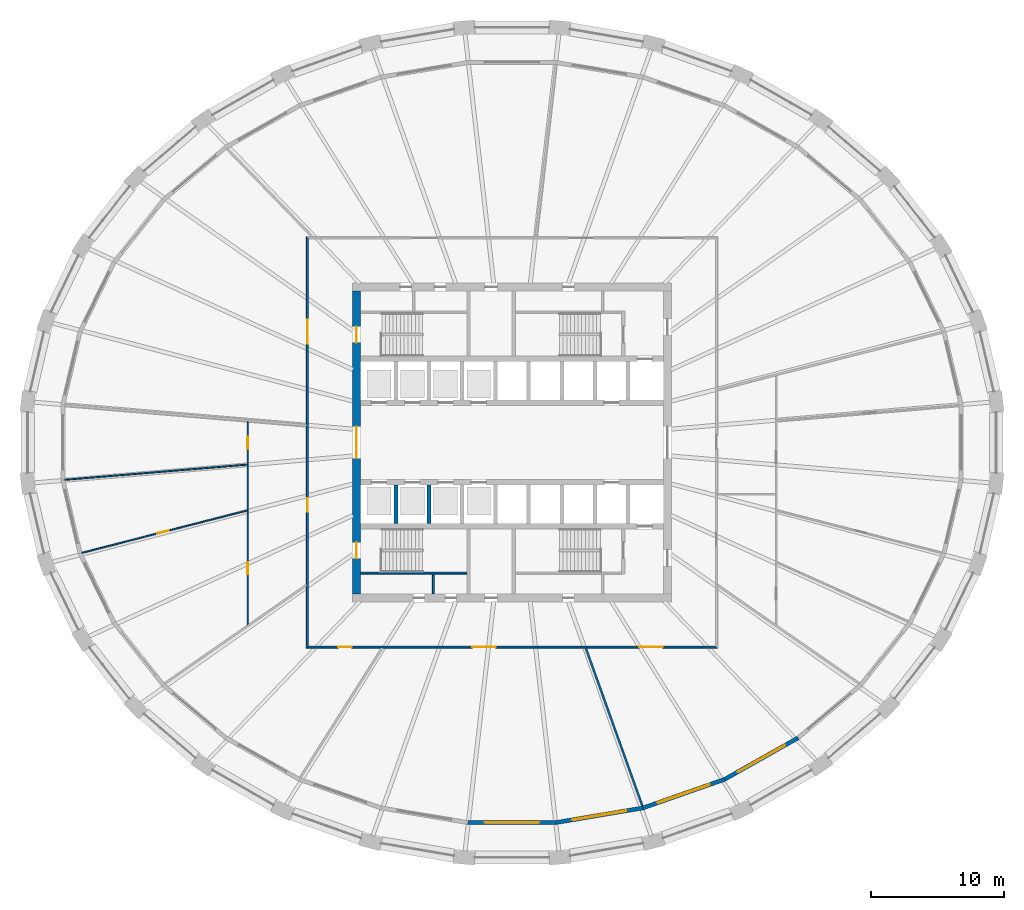
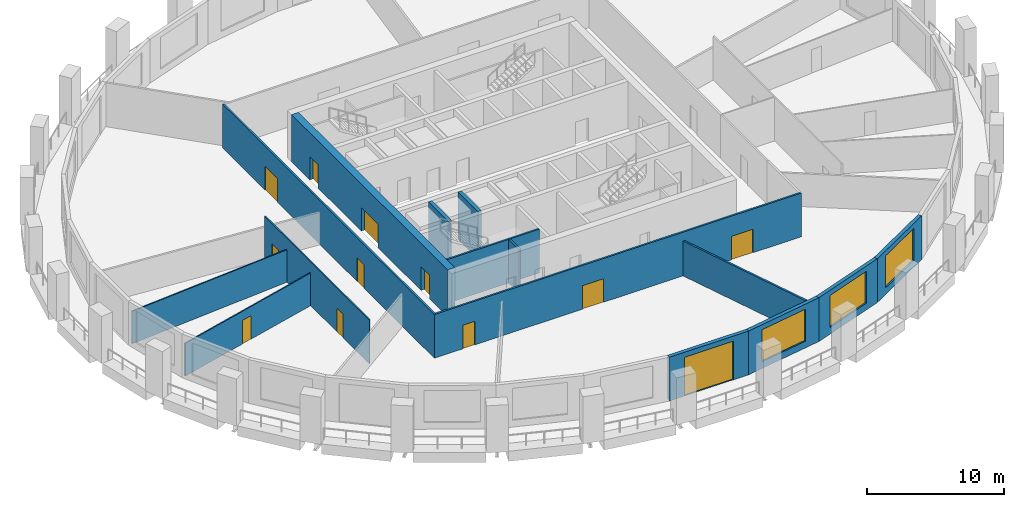
# One storey, part 3 of 11: 15 walls, 12 doors, 3 windows, 15 openings.
"""IFC4 building model written with IfcOpenShell, lengths in metres."""

from ifc_helpers import new_model, si_unit, direction, frame, frame_2d, origin, place, context, subcontext, project, spatial, polyline, rectangle, outline, extrude, material, layer, layer_set, type_object, element, fill, save


model = new_model("IFC4")

# Units and contexts
model_context = context("Model", 3, precision=1e-05, world=origin(), true_north=direction((0.0, 1.0)))
body_context = subcontext(model_context, "Body", "Model", "MODEL_VIEW")
ifc_project = project(units=[si_unit("LENGTHUNIT", "METRE"), si_unit("AREAUNIT", "SQUARE_METRE"), si_unit("VOLUMEUNIT", "CUBIC_METRE"), si_unit("PLANEANGLEUNIT", "RADIAN"), si_unit("MASSUNIT", "GRAM", prefix="KILO")], contexts=[model_context])

# Site, building, storey
site_placement = place(None, origin())
site = spatial("IfcSite", under=ifc_project, at=site_placement, CompositionType="ELEMENT")
building_placement = place(site_placement, origin())
building = spatial("IfcBuilding", under=site, at=building_placement, Name="Halqa Exchange Tower", CompositionType="ELEMENT")
storey_placement = place(building_placement, frame((0.0, 0.0, 73.89990234375)))
storey = spatial("IfcBuildingStorey", under=building, at=storey_placement, Name="L16", CompositionType="ELEMENT", Elevation=73.89990234375)

# Wall, openings, doors
ifc_material_1 = material(Name="Fire-rated gypsum board")
ifc_layer_1 = layer(ifc_material_1, 0.14990234375)
ifc_layer_set_1 = layer_set([ifc_layer_1], Name="Fire-rated gypsum board")
wall_type_1 = type_object("IfcWallType", Name="Fire partition EI 60 150", PredefinedType="PARTITIONING", material=ifc_layer_set_1)
wall_1_placement = place(storey_placement, frame((-15.39990234375, -15.47509765625, 0.0), z_axis=(0.0, 0.0, 1.0), x_axis=(0.0, 1.0, 0.0)))
wall_1 = element("IfcWall", 1, at=wall_1_placement, inside=storey, type_object=wall_type_1, Name="L16-PWL-006", PredefinedType="PARTITIONING", context=body_context, shape_type="SweptSolid", body=[
    extrude(outline(polyline([(0.150146484375, -0.074951171875), (2.065673828125, -0.074951171875), (3.9814453125, -0.074951171875), (5.89697265625, -0.074951171875), (7.8125, -0.074951171875), (9.728271484375, -0.074951171875), (11.643798828125, -0.074951171875), (13.5595703125, -0.074951171875), (15.47509765625, -0.074951171875), (17.390625, -0.074951171875), (19.306396484375, -0.074951171875), (21.221923828125, -0.074951171875), (23.1376953125, -0.074951171875), (25.05322265625, -0.074951171875), (26.96875, -0.074951171875), (28.884521484375, -0.074951171875), (30.800048828125, -0.074951171875), (30.949951171875, 0.074951171875), (29.015625, 0.074951171875), (27.081298828125, 0.074951171875), (25.14697265625, 0.074951171875), (23.21240234375, 0.074951171875), (21.278076171875, 0.074951171875), (19.34375, 0.074951171875), (17.409423828125, 0.074951171875), (15.47509765625, 0.074951171875), (13.540771484375, 0.074951171875), (11.6064453125, 0.074951171875), (9.672119140625, 0.074951171875), (7.73779296875, 0.074951171875), (5.80322265625, 0.074951171875), (3.868896484375, 0.074951171875), (1.9345703125, 0.074951171875), (0.000244140625, 0.074951171875), (0.150146484375, -0.074951171875)])), origin(), (0.0, 0.0, 1.0), 3.900146484375),
])
opening_1_placement = place(wall_1_placement, frame((10.27490234375, 0.0, 0.0)))
opening_1 = element("IfcOpeningElement", 2, at=opening_1_placement, cuts=wall_1, Name="Opening 05-01", PredefinedType="OPENING", context=body_context, shape_type="SweptSolid", body=[
    extrude(rectangle(XDim=1.0, YDim=2.10009765625, at=frame_2d((0.5, 1.050048828125))), frame((0.0, 0.0869140625, 0.0), z_axis=(0.0, -1.0, 0.0), x_axis=(1.0, 0.0, 0.0)), (0.0, 0.0, 1.0), 0.173828125),
])
opening_2_placement = place(wall_1_placement, frame((22.9150390625, 0.0, 0.0)))
opening_2 = element("IfcOpeningElement", 3, at=opening_2_placement, cuts=wall_1, Name="Opening 05-10", PredefinedType="OPENING", context=body_context, shape_type="SweptSolid", body=[
    extrude(rectangle(XDim=1.800048828125, YDim=2.10009765625, at=frame_2d((0.89990234375, 1.050048828125))), frame((0.0, 0.0869140625, 0.0), z_axis=(0.0, -1.0, 0.0), x_axis=(1.0, 0.0, 0.0)), (0.0, 0.0, 1.0), 0.173828125),
])
ifc_material_2 = material(Name="Steel fire door leaf", Category="steel")
door_type_1 = type_object("IfcDoorType", Name="Fire door FD30S 1000 x 2100", OperationType="SINGLE_SWING_LEFT", PredefinedType="DOOR", material=ifc_material_2)
door_1_placement = place(opening_1_placement, origin())
door_1 = element("IfcDoor", 4, at=door_1_placement, inside=storey, type_object=door_type_1, Name="L16-IDR-001", OperationType="SINGLE_SWING_RIGHT", OverallHeight=2.10009765625, OverallWidth=1.0, PredefinedType="DOOR", context=body_context, shape_type="SweptSolid", body=[
    extrude(rectangle(XDim=1.0, YDim=2.10009765625, at=frame_2d((0.5, 1.050048828125))), frame((0.0, 0.02490234375, 0.0), z_axis=(0.0, -1.0, 0.0), x_axis=(1.0, 0.0, 0.0)), (0.0, 0.0, 1.0), 0.050048828125),
])
fill(opening_1, door_1)
door_type_2 = type_object("IfcDoorType", Name="Fire door FD30S double 1800 x 2100", OperationType="DOUBLE_DOOR_SINGLE_SWING", PredefinedType="DOOR", material=ifc_material_2)
door_2_placement = place(opening_2_placement, origin())
door_2 = element("IfcDoor", 5, at=door_2_placement, inside=storey, type_object=door_type_2, Name="L16-IDR-010", OperationType="DOUBLE_DOOR_SINGLE_SWING", OverallHeight=2.10009765625, OverallWidth=1.800048828125, PredefinedType="DOOR", context=body_context, shape_type="SweptSolid", body=[
    extrude(rectangle(XDim=1.800048828125, YDim=2.10009765625, at=frame_2d((0.89990234375, 1.050048828125))), frame((0.0, 0.02490234375, 0.0), z_axis=(0.0, -1.0, 0.0), x_axis=(1.0, 0.0, 0.0)), (0.0, 0.0, 1.0), 0.050048828125),
])
fill(opening_2, door_2)

wall_2_placement = place(storey_placement, frame((-15.47509765625, -15.39990234375, 0.0), z_axis=(0.0, 0.0, 1.0), x_axis=(1.0, 0.0, 0.0)))
wall_2 = element("IfcWall", 6, at=wall_2_placement, inside=storey, type_object=wall_type_1, Name="L16-PWL-007", PredefinedType="PARTITIONING", context=body_context, shape_type="SweptSolid", body=[
    extrude(outline(polyline([(0.000244140625, -0.074951171875), (1.9345703125, -0.074951171875), (3.868896484375, -0.074951171875), (5.80322265625, -0.074951171875), (7.73779296875, -0.074951171875), (9.672119140625, -0.074951171875), (11.6064453125, -0.074951171875), (13.540771484375, -0.074951171875), (15.47509765625, -0.074951171875), (17.409423828125, -0.074951171875), (19.34375, -0.074951171875), (21.278076171875, -0.074951171875), (23.21240234375, -0.074951171875), (25.14697265625, -0.074951171875), (27.081298828125, -0.074951171875), (29.015625, -0.074951171875), (30.949951171875, -0.074951171875), (30.800048828125, 0.074951171875), (28.884521484375, 0.074951171875), (26.96875, 0.074951171875), (25.05322265625, 0.074951171875), (23.1376953125, 0.074951171875), (21.221923828125, 0.074951171875), (19.306396484375, 0.074951171875), (17.390625, 0.074951171875), (15.47509765625, 0.074951171875), (13.5595703125, 0.074951171875), (11.643798828125, 0.074951171875), (9.728271484375, 0.074951171875), (7.8125, 0.074951171875), (5.89697265625, 0.074951171875), (3.9814453125, 0.074951171875), (2.065673828125, 0.074951171875), (0.150146484375, 0.074951171875), (0.000244140625, -0.074951171875)])), origin(), (0.0, 0.0, 1.0), 3.900146484375),
])
opening_3_placement = place(wall_2_placement, frame((2.405029296875, 0.0, 0.0)))
opening_3 = element("IfcOpeningElement", 7, at=opening_3_placement, cuts=wall_2, Name="Opening 05-02", PredefinedType="OPENING", context=body_context, shape_type="SweptSolid", body=[
    extrude(rectangle(XDim=1.0, YDim=2.10009765625, at=frame_2d((0.5, 1.050048828125))), frame((0.0, 0.0869140625, 0.0), z_axis=(0.0, -1.0, 0.0), x_axis=(1.0, 0.0, 0.0)), (0.0, 0.0, 1.0), 0.173828125),
])
opening_4_placement = place(wall_2_placement, frame((12.469970703125, 0.0, 0.0)))
opening_4 = element("IfcOpeningElement", 8, at=opening_4_placement, cuts=wall_2, Name="Opening 05-03", PredefinedType="OPENING", context=body_context, shape_type="SweptSolid", body=[
    extrude(rectangle(XDim=1.800048828125, YDim=2.10009765625, at=frame_2d((0.89990234375, 1.050048828125))), frame((0.0, 0.0869140625, 0.0), z_axis=(0.0, -1.0, 0.0), x_axis=(1.0, 0.0, 0.0)), (0.0, 0.0, 1.0), 0.173828125),
])
opening_5_placement = place(wall_2_placement, frame((25.0400390625, 0.0, 0.0)))
opening_5 = element("IfcOpeningElement", 9, at=opening_5_placement, cuts=wall_2, Name="Opening 05-04", PredefinedType="OPENING", context=body_context, shape_type="SweptSolid", body=[
    extrude(rectangle(XDim=1.800048828125, YDim=2.10009765625, at=frame_2d((0.89990234375, 1.050048828125))), frame((0.0, 0.0869140625, 0.0), z_axis=(0.0, -1.0, 0.0), x_axis=(1.0, 0.0, 0.0)), (0.0, 0.0, 1.0), 0.173828125),
])
door_3_placement = place(opening_3_placement, frame((1.0, 0.0, 0.0), z_axis=(0.0, 0.0, 1.0), x_axis=(-1.0, 0.0, 0.0)))
door_3 = element("IfcDoor", 10, at=door_3_placement, inside=storey, type_object=door_type_1, Name="L16-IDR-002", OperationType="SINGLE_SWING_RIGHT", OverallHeight=2.10009765625, OverallWidth=1.0, PredefinedType="DOOR", context=body_context, shape_type="SweptSolid", body=[
    extrude(rectangle(XDim=1.0, YDim=2.10009765625, at=frame_2d((0.5, 1.050048828125))), frame((0.0, 0.02490234375, 0.0), z_axis=(0.0, -1.0, 0.0), x_axis=(1.0, 0.0, 0.0)), (0.0, 0.0, 1.0), 0.050048828125),
])
fill(opening_3, door_3)
door_4_placement = place(opening_4_placement, frame((1.800048828125, 0.0, 0.0), z_axis=(0.0, 0.0, 1.0), x_axis=(-1.0, 0.0, 0.0)))
door_4 = element("IfcDoor", 11, at=door_4_placement, inside=storey, type_object=door_type_2, Name="L16-IDR-003", OperationType="DOUBLE_DOOR_SINGLE_SWING", OverallHeight=2.10009765625, OverallWidth=1.800048828125, PredefinedType="DOOR", context=body_context, shape_type="SweptSolid", body=[
    extrude(rectangle(XDim=1.800048828125, YDim=2.10009765625, at=frame_2d((0.89990234375, 1.050048828125))), frame((0.0, 0.02490234375, 0.0), z_axis=(0.0, -1.0, 0.0), x_axis=(1.0, 0.0, 0.0)), (0.0, 0.0, 1.0), 0.050048828125),
])
fill(opening_4, door_4)
door_5_placement = place(opening_5_placement, frame((1.800048828125, 0.0, 0.0), z_axis=(0.0, 0.0, 1.0), x_axis=(-1.0, 0.0, 0.0)))
door_5 = element("IfcDoor", 12, at=door_5_placement, inside=storey, type_object=door_type_2, Name="L16-IDR-004", OperationType="DOUBLE_DOOR_SINGLE_SWING", OverallHeight=2.10009765625, OverallWidth=1.800048828125, PredefinedType="DOOR", context=body_context, shape_type="SweptSolid", body=[
    extrude(rectangle(XDim=1.800048828125, YDim=2.10009765625, at=frame_2d((0.89990234375, 1.050048828125))), frame((0.0, 0.02490234375, 0.0), z_axis=(0.0, -1.0, 0.0), x_axis=(1.0, 0.0, 0.0)), (0.0, 0.0, 1.0), 0.050048828125),
])
fill(opening_5, door_5)

# Wall
wall_3_placement = place(storey_placement, frame((5.5478515625, -15.449951171875, 0.0), z_axis=(0.0, 0.0, 1.0), x_axis=(0.337357475529, -0.941376616294, 0.0)))
element("IfcWall", 13, at=wall_3_placement, inside=storey, type_object=wall_type_1, Name="L16-PWL-012", PredefinedType="PARTITIONING", context=body_context, shape_type="SweptSolid", body=[
    extrude(outline(polyline([(0.0, -0.074951171875), (1.806640625, -0.074951171875), (3.61328125, -0.074951171875), (5.419921875, -0.074951171875), (7.226318359375, -0.074951171875), (9.032958984375, -0.074951171875), (10.839599609375, -0.074951171875), (12.646240234375, -0.074951171875), (12.66015625, 0.002197265625), (12.66015625, 0.018310546875), (12.66015625, 0.074951171875), (10.859130859375, 0.074951171875), (9.058349609375, 0.074951171875), (7.25732421875, 0.074951171875), (5.456298828125, 0.074951171875), (3.6552734375, 0.074951171875), (1.8544921875, 0.074951171875), (0.053466796875, 0.074951171875), (0.0, -0.07421875), (0.0, -0.074951171875)])), origin(), (0.0, 0.0, 1.0), 3.110107421875),
])

# Wall, openings, doors
ifc_material_3 = material(Name="Gypsum board")
ifc_layer_2 = layer(ifc_material_3, 0.10009765625)
ifc_layer_set_2 = layer_set([ifc_layer_2], Name="Gypsum board")
wall_type_2 = type_object("IfcWallType", Name="Partition 100 gypsum", PredefinedType="PARTITIONING", material=ifc_layer_set_2)
wall_4_placement = place(storey_placement, frame((-19.89990234375, -13.744384765625, 0.0), z_axis=(0.0, 0.0, 1.0), x_axis=(0.0, 1.0, 0.0)))
wall_4 = element("IfcWall", 14, at=wall_4_placement, inside=storey, type_object=wall_type_2, Name="L16-PWL-003", PredefinedType="PARTITIONING", context=body_context, shape_type="SweptSolid", body=[
    extrude(outline(polyline([(0.069091796875, -0.050048828125), (1.9755859375, -0.050048828125), (3.882080078125, -0.050048828125), (5.788330078125, -0.050048828125), (7.69482421875, -0.050048828125), (9.601318359375, -0.050048828125), (11.5078125, -0.050048828125), (13.4140625, -0.050048828125), (15.320556640625, -0.050048828125), (15.328857421875, 0.04931640625), (15.328857421875, 0.050048828125), (13.6435546875, 0.050048828125), (11.958251953125, 0.050048828125), (10.27294921875, 0.050048828125), (8.587646484375, 0.050048828125), (8.580322265625, 0.048095703125), (8.579833984375, 0.050048828125), (6.864013671875, 0.050048828125), (5.14794921875, 0.050048828125), (3.431884765625, 0.050048828125), (1.716064453125, 0.050048828125), (0.0, 0.050048828125), (0.0, 0.049560546875), (0.069091796875, -0.050048828125)])), origin(), (0.0, 0.0, 1.0), 3.900146484375),
])
opening_6_placement = place(wall_4_placement, frame((3.844482421875, 0.0, 0.0)))
opening_6 = element("IfcOpeningElement", 15, at=opening_6_placement, cuts=wall_4, Name="Opening 05-11", PredefinedType="OPENING", context=body_context, shape_type="SweptSolid", body=[
    extrude(rectangle(XDim=0.89990234375, YDim=2.10009765625, at=frame_2d((0.449951171875, 1.050048828125))), frame((0.0, 0.06201171875, 0.0), z_axis=(0.0, -1.0, 0.0), x_axis=(1.0, 0.0, 0.0)), (0.0, 0.0, 1.0), 0.1240234375),
])
opening_7_placement = place(wall_4_placement, frame((13.29443359375, 0.0, 0.0)))
opening_7 = element("IfcOpeningElement", 16, at=opening_7_placement, cuts=wall_4, Name="Opening 05-12", PredefinedType="OPENING", context=body_context, shape_type="SweptSolid", body=[
    extrude(rectangle(XDim=0.89990234375, YDim=2.10009765625, at=frame_2d((0.449951171875, 1.050048828125))), frame((0.0, 0.06201171875, 0.0), z_axis=(0.0, -1.0, 0.0), x_axis=(1.0, 0.0, 0.0)), (0.0, 0.0, 1.0), 0.1240234375),
])
ifc_material_4 = material(Name="Timber door leaf", Category="wood")
door_type_3 = type_object("IfcDoorType", Name="Door 900 x 2100", OperationType="SINGLE_SWING_LEFT", PredefinedType="DOOR", material=ifc_material_4)
door_6_placement = place(opening_6_placement, frame((0.89990234375, 0.0, 0.0), z_axis=(0.0, 0.0, 1.0), x_axis=(-1.0, 0.0, 0.0)))
door_6 = element("IfcDoor", 17, at=door_6_placement, inside=storey, type_object=door_type_3, Name="L16-IDR-011", OperationType="SINGLE_SWING_LEFT", OverallHeight=2.10009765625, OverallWidth=0.89990234375, PredefinedType="DOOR", context=body_context, shape_type="SweptSolid", body=[
    extrude(rectangle(XDim=0.89990234375, YDim=2.10009765625, at=frame_2d((0.449951171875, 1.050048828125))), frame((0.0, 0.02490234375, 0.0), z_axis=(0.0, -1.0, 0.0), x_axis=(1.0, 0.0, 0.0)), (0.0, 0.0, 1.0), 0.050048828125),
])
fill(opening_6, door_6)
door_7_placement = place(opening_7_placement, frame((0.89990234375, 0.0, 0.0), z_axis=(0.0, 0.0, 1.0), x_axis=(-1.0, 0.0, 0.0)))
door_7 = element("IfcDoor", 18, at=door_7_placement, inside=storey, type_object=door_type_3, Name="L16-IDR-012", OperationType="SINGLE_SWING_RIGHT", OverallHeight=2.10009765625, OverallWidth=0.89990234375, PredefinedType="DOOR", context=body_context, shape_type="SweptSolid", body=[
    extrude(rectangle(XDim=0.89990234375, YDim=2.10009765625, at=frame_2d((0.449951171875, 1.050048828125))), frame((0.0, 0.02490234375, 0.0), z_axis=(0.0, -1.0, 0.0), x_axis=(1.0, 0.0, 0.0)), (0.0, 0.0, 1.0), 0.050048828125),
])
fill(opening_7, door_7)

# Wall, opening, door
wall_5_placement = place(storey_placement, frame((-19.937744140625, -5.109619140625, 0.0), z_axis=(0.0, 0.0, 1.0), x_axis=(-0.96855855203, -0.248785713594, 0.0)))
wall_5 = element("IfcWall", 19, at=wall_5_placement, inside=storey, type_object=wall_type_2, Name="L16-PWL-004", PredefinedType="PARTITIONING", context=body_context, shape_type="SweptSolid", body=[
    extrude(outline(polyline([(12.838623046875, -0.050048828125), (12.838623046875, 0.0048828125), (12.829345703125, 0.050048828125), (11.000244140625, 0.050048828125), (9.171142578125, 0.050048828125), (7.342041015625, 0.050048828125), (5.512939453125, 0.050048828125), (3.683837890625, 0.050048828125), (1.854736328125, 0.050048828125), (0.025390625, 0.050048828125), (0.0, -0.04931640625), (0.0, -0.050048828125), (1.833984375, -0.050048828125), (3.668212890625, -0.050048828125), (5.502197265625, -0.050048828125), (7.33642578125, -0.050048828125), (9.17041015625, -0.050048828125), (11.004638671875, -0.050048828125), (12.838623046875, -0.050048828125)])), origin(), (0.0, 0.0, 1.0), 2.91015625),
])
opening_8_placement = place(wall_5_placement, frame((6.103271484375, 0.0, 0.0)))
opening_8 = element("IfcOpeningElement", 20, at=opening_8_placement, cuts=wall_5, Name="Opening 05-13", PredefinedType="OPENING", context=body_context, shape_type="SweptSolid", body=[
    extrude(rectangle(XDim=0.89990234375, YDim=2.10009765625, at=frame_2d((0.449951171875, 1.050048828125))), frame((0.0, 0.06201171875, 0.0), z_axis=(0.0, -1.0, 0.0), x_axis=(1.0, 0.0, 0.0)), (0.0, 0.0, 1.0), 0.1240234375),
])
door_8_placement = place(opening_8_placement, frame((0.89990234375, 0.0, 0.0), z_axis=(0.0, 0.0, 1.0), x_axis=(-1.0, 0.0, 0.0)))
door_8 = element("IfcDoor", 21, at=door_8_placement, inside=storey, type_object=door_type_3, Name="L16-IDR-013", OperationType="SINGLE_SWING_RIGHT", OverallHeight=2.10009765625, OverallWidth=0.89990234375, PredefinedType="DOOR", context=body_context, shape_type="SweptSolid", body=[
    extrude(rectangle(XDim=0.89990234375, YDim=2.10009765625, at=frame_2d((0.449951171875, 1.050048828125))), frame((0.0, 0.02490234375, 0.0), z_axis=(0.0, -1.0, 0.0), x_axis=(1.0, 0.0, 0.0)), (0.0, 0.0, 1.0), 0.050048828125),
])
fill(opening_8, door_8)

# Walls
wall_6_placement = place(storey_placement, frame((-19.9462890625, -1.663818359375, 0.0), z_axis=(0.0, 0.0, 1.0), x_axis=(-0.996559566172, -0.082879617945, 0.0)))
element("IfcWall", 22, at=wall_6_placement, inside=storey, type_object=wall_type_2, Name="L16-PWL-005", PredefinedType="PARTITIONING", context=body_context, shape_type="SweptSolid", body=[
    extrude(outline(polyline([(13.765380859375, -0.050048828125), (13.765380859375, 0.0263671875), (13.761962890625, 0.050048828125), (11.797119140625, 0.050048828125), (9.83203125, 0.050048828125), (7.8671875, 0.050048828125), (5.90234375, 0.050048828125), (3.9375, 0.050048828125), (1.97265625, 0.050048828125), (0.0078125, 0.050048828125), (0.0, -0.044677734375), (0.0, -0.050048828125), (1.966552734375, -0.050048828125), (3.932861328125, -0.050048828125), (5.8994140625, -0.050048828125), (7.865966796875, -0.050048828125), (9.83251953125, -0.050048828125), (11.798828125, -0.050048828125), (13.765380859375, -0.050048828125)])), origin(), (0.0, 0.0, 1.0), 2.89208984375),
])
ifc_layer_3 = layer(ifc_material_3, 0.14990234375)
ifc_layer_set_3 = layer_set([ifc_layer_3], Name="Gypsum board")
wall_type_3 = type_object("IfcWallType", Name="Penthouse riser wall 150 gypsum", PredefinedType="PARTITIONING", material=ifc_layer_set_3)
wall_7_placement = place(storey_placement, frame((-5.925048828125, -11.39990234375, 0.0), z_axis=(0.0, 0.0, 1.0), x_axis=(0.0, 1.0, 0.0)))
element("IfcWall", 23, at=wall_7_placement, inside=storey, type_object=wall_type_3, Name="Partition W5.925 S", PredefinedType="PARTITIONING", context=body_context, shape_type="SweptSolid", body=[
    extrude(rectangle(XDim=1.5, YDim=0.14990234375, at=frame_2d((0.75, 0.0))), origin(), (0.0, 0.0, 1.0), 3.900146484375),
])
ifc_material_5 = material(Name="Concrete C60/75", Category="concrete")
ifc_layer_4 = layer(ifc_material_5, 0.300048828125)
ifc_layer_set_4 = layer_set([ifc_layer_4], Name="Concrete C60/75")
wall_type_4 = type_object("IfcWallType", Name="RC core wall 300", PredefinedType="SHEAR", material=ifc_layer_set_4)
for number, where, z_axis, x_axis, name in (
    (24, (-8.75, -6.10009765625, 0.0), (0.0, 0.0, 1.0), (0.0, 1.0, 0.0), "Shaft divider S1"),
    (25, (-6.25, -6.10009765625, 0.0), (0.0, 0.0, 1.0), (0.0, 1.0, 0.0), "Shaft divider S2"),
):
    element("IfcWall", number, at=place(storey_placement, frame(where, z_axis=z_axis, x_axis=x_axis)), inside=storey, type_object=wall_type_4, Name=name, PredefinedType="SHEAR", context=body_context, shape_type="SweptSolid", body=[
        extrude(rectangle(XDim=2.900146484375, YDim=0.300048828125, at=frame_2d((1.4501953125, 0.0))), origin(), (0.0, 0.0, 1.0), 4.2001953125),
    ])

# Wall, openings, doors
ifc_material_6 = material(Name="Concrete C80/95", Category="concrete")
ifc_layer_5 = layer(ifc_material_6, 0.60009765625)
ifc_layer_set_5 = layer_set([ifc_layer_5], Name="Concrete C80/95")
wall_type_5 = type_object("IfcWallType", Name="RC core wall 600 C80/95", PredefinedType="SHEAR", material=ifc_layer_set_5)
wall_8_placement = place(storey_placement, frame((-11.699951171875, -11.39990234375, 0.0), z_axis=(0.0, 0.0, 1.0), x_axis=(0.0, 1.0, 0.0)))
wall_8 = element("IfcWall", 26, at=wall_8_placement, inside=storey, type_object=wall_type_5, Name="Core wall west", PredefinedType="SHEAR", context=body_context, shape_type="SweptSolid", body=[
    extrude(rectangle(XDim=22.7998046875, YDim=0.60009765625, at=frame_2d((11.39990234375, 0.0))), origin(), (0.0, 0.0, 1.0), 4.2001953125),
])
opening_9_placement = place(wall_8_placement, frame((10.199951171875, 0.0, 0.0)))
opening_9 = element("IfcOpeningElement", 27, at=opening_9_placement, cuts=wall_8, Name="Opening T05-C13", PredefinedType="OPENING", context=body_context, shape_type="SweptSolid", body=[
    extrude(rectangle(XDim=2.39990234375, YDim=2.10009765625, at=frame_2d((1.199951171875, 1.050048828125))), frame((0.0, 0.31201171875, 0.0), z_axis=(0.0, -1.0, 0.0), x_axis=(1.0, 0.0, 0.0)), (0.0, 0.0, 1.0), 0.6240234375),
])
opening_10_placement = place(wall_8_placement, frame((18.925048828125, 0.0, 0.0)))
opening_10 = element("IfcOpeningElement", 28, at=opening_10_placement, cuts=wall_8, Name="Opening T05-C15", PredefinedType="OPENING", context=body_context, shape_type="SweptSolid", body=[
    extrude(rectangle(XDim=1.199951171875, YDim=2.10009765625, at=frame_2d((0.60009765625, 1.050048828125))), frame((0.0, 0.31201171875, 0.0), z_axis=(0.0, -1.0, 0.0), x_axis=(1.0, 0.0, 0.0)), (0.0, 0.0, 1.0), 0.6240234375),
])
opening_11_placement = place(wall_8_placement, frame((2.675048828125, 0.0, 0.0)))
opening_11 = element("IfcOpeningElement", 29, at=opening_11_placement, cuts=wall_8, Name="Opening T05-C17", PredefinedType="OPENING", context=body_context, shape_type="SweptSolid", body=[
    extrude(rectangle(XDim=1.199951171875, YDim=2.10009765625, at=frame_2d((0.60009765625, 1.050048828125))), frame((0.0, 0.31201171875, 0.0), z_axis=(0.0, -1.0, 0.0), x_axis=(1.0, 0.0, 0.0)), (0.0, 0.0, 1.0), 0.6240234375),
])
door_type_4 = type_object("IfcDoorType", Name="Lobby double door FD60 2400 x 2100", OperationType="DOUBLE_DOOR_SINGLE_SWING", PredefinedType="DOOR", material=ifc_material_2)
door_9_placement = place(opening_9_placement, frame((2.39990234375, 0.0, 0.0), z_axis=(0.0, 0.0, 1.0), x_axis=(-1.0, 0.0, 0.0)))
door_9 = element("IfcDoor", 30, at=door_9_placement, inside=storey, type_object=door_type_4, Name="Lift lobby double door", OperationType="DOUBLE_DOOR_SINGLE_SWING", OverallHeight=2.10009765625, OverallWidth=2.39990234375, PredefinedType="DOOR", context=body_context, shape_type="SweptSolid", body=[
    extrude(rectangle(XDim=2.39990234375, YDim=2.10009765625, at=frame_2d((1.199951171875, 1.050048828125))), frame((0.0, 0.02490234375, 0.0), z_axis=(0.0, -1.0, 0.0), x_axis=(1.0, 0.0, 0.0)), (0.0, 0.0, 1.0), 0.050048828125),
])
fill(opening_9, door_9)
door_type_5 = type_object("IfcDoorType", Name="Stair door FD90 1200 x 2100", OperationType="SINGLE_SWING_LEFT", PredefinedType="DOOR", material=ifc_material_2)
door_10_placement = place(opening_10_placement, frame((1.199951171875, 0.0, 0.0), z_axis=(0.0, 0.0, 1.0), x_axis=(-1.0, 0.0, 0.0)))
door_10 = element("IfcDoor", 31, at=door_10_placement, inside=storey, type_object=door_type_5, Name="Stair door ST1", OperationType="SINGLE_SWING_LEFT", OverallHeight=2.10009765625, OverallWidth=1.199951171875, PredefinedType="DOOR", context=body_context, shape_type="SweptSolid", body=[
    extrude(rectangle(XDim=1.199951171875, YDim=2.10009765625, at=frame_2d((0.60009765625, 1.050048828125))), frame((0.0, 0.02490234375, 0.0), z_axis=(0.0, -1.0, 0.0), x_axis=(1.0, 0.0, 0.0)), (0.0, 0.0, 1.0), 0.050048828125),
])
fill(opening_10, door_10)
door_11_placement = place(opening_11_placement, frame((1.199951171875, 0.0, 0.0), z_axis=(0.0, 0.0, 1.0), x_axis=(-1.0, 0.0, 0.0)))
door_11 = element("IfcDoor", 32, at=door_11_placement, inside=storey, type_object=door_type_5, Name="Stair door ST3", OperationType="SINGLE_SWING_LEFT", OverallHeight=2.10009765625, OverallWidth=1.199951171875, PredefinedType="DOOR", context=body_context, shape_type="SweptSolid", body=[
    extrude(rectangle(XDim=1.199951171875, YDim=2.10009765625, at=frame_2d((0.60009765625, 1.050048828125))), frame((0.0, 0.02490234375, 0.0), z_axis=(0.0, -1.0, 0.0), x_axis=(1.0, 0.0, 0.0)), (0.0, 0.0, 1.0), 0.050048828125),
])
fill(opening_11, door_11)

# Wall
ifc_material_7 = material(Name="Concrete C30/37", Category="concrete")
ifc_layer_6 = layer(ifc_material_7, 0.14990234375)
ifc_layer_set_6 = layer_set([ifc_layer_6], Name="Concrete C30/37")
wall_type_6 = type_object("IfcWallType", Name="RC stair wall 150 C30/37", PredefinedType="SHEAR", material=ifc_layer_set_6)
wall_9_placement = place(storey_placement, frame((-11.39990234375, -9.824951171875, 0.0), z_axis=(0.0, 0.0, 1.0), x_axis=(1.0, 0.0, 0.0)))
element("IfcWall", 33, at=wall_9_placement, inside=storey, type_object=wall_type_6, Name="Stair ST1 north wall S", PredefinedType="SHEAR", context=body_context, shape_type="SweptSolid", body=[
    extrude(rectangle(XDim=8.0, YDim=0.14990234375, at=frame_2d((4.0, 0.0))), origin(), (0.0, 0.0, 1.0), 3.900146484375),
])

# Wall, opening, door
ifc_material_8 = material(Name="Limestone cladding", Category="masonry")
ifc_layer_7 = layer(ifc_material_8, 0.0400390625)
ifc_material_9 = material(Name="Ventilated cavity")
ifc_layer_8 = layer(ifc_material_9, 0.030029296875, ventilated=True)
ifc_material_10 = material(Name="Mineral wool insulation")
ifc_layer_9 = layer(ifc_material_10, 0.10009765625)
ifc_layer_10 = layer(ifc_material_7, 0.10009765625)
ifc_material_11 = material(Name="Internal plaster")
ifc_layer_11 = layer(ifc_material_11, 0.030029296875)
ifc_layer_set_7 = layer_set([ifc_layer_7, ifc_layer_8, ifc_layer_9, ifc_layer_10, ifc_layer_11], Name="Stone-faced insulated wall 300")
wall_type_7 = type_object("IfcWallType", Name="Stone-faced insulated wall 300", PredefinedType="STANDARD", material=ifc_layer_set_7)
wall_10_placement = place(storey_placement, frame((-3.32861328125, -28.61083984375, 0.0), z_axis=(0.0, 0.0, 1.0), x_axis=(1.0, 0.0, 0.0)))
wall_10 = element("IfcWall", 34, at=wall_10_placement, inside=storey, type_object=wall_type_7, Name="Glass-line wall 24", PredefinedType="STANDARD", context=body_context, shape_type="SweptSolid", body=[
    extrude(outline(polyline([(-0.012451171875, -0.14990234375), (6.669677734375, -0.14990234375), (6.644775390625, 0.14990234375), (0.012451171875, 0.14990234375), (-0.012451171875, -0.14990234375)])), origin(), (0.0, 0.0, 1.0), 3.900146484375),
])
opening_12_placement = place(wall_10_placement, frame((1.278564453125, 0.0, 0.0)))
opening_12 = element("IfcOpeningElement", 35, at=opening_12_placement, cuts=wall_10, Name="Opening LG-F1-06", PredefinedType="OPENING", context=body_context, shape_type="SweptSolid", body=[
    extrude(rectangle(XDim=4.10009765625, YDim=3.449951171875, at=frame_2d((2.050048828125, 1.72509765625))), frame((0.0, 0.162109375, 0.0), z_axis=(0.0, -1.0, 0.0), x_axis=(1.0, 0.0, 0.0)), (0.0, 0.0, 1.0), 0.323974609375),
])
ifc_material_12 = material(Name="Clear low-emissivity glass in aluminium frame", Category="aluminium")
door_type_6 = type_object("IfcDoorType", Name="Glazed sliding loggia door 4100 x 3450", OperationType="DOUBLE_DOOR_SLIDING", PredefinedType="DOOR", material=ifc_material_12)
door_12_placement = place(opening_12_placement, origin())
door_12 = element("IfcDoor", 36, at=door_12_placement, inside=storey, type_object=door_type_6, Name="Loggia door 6", OperationType="DOUBLE_DOOR_SLIDING", OverallHeight=3.449951171875, OverallWidth=4.10009765625, PredefinedType="DOOR", context=body_context, shape_type="SweptSolid", body=[
    extrude(rectangle(XDim=4.10009765625, YDim=3.449951171875, at=frame_2d((2.050048828125, 1.72509765625))), frame((0.0, 0.02490234375, 0.0), z_axis=(0.0, -1.0, 0.0), x_axis=(1.0, 0.0, 0.0)), (0.0, 0.0, 1.0), 0.050048828125),
])
fill(opening_12, door_12)

# Wall, opening, window
wall_11_placement = place(storey_placement, frame((3.32861328125, -28.61083984375, 0.0), z_axis=(0.0, 0.0, 1.0), x_axis=(0.986157735925, 0.165809890767, 0.0)))
wall_11 = element("IfcWall", 37, at=wall_11_placement, inside=storey, type_object=wall_type_7, Name="Glass-line wall 25", PredefinedType="STANDARD", context=body_context, shape_type="SweptSolid", body=[
    extrude(outline(polyline([(-0.012451171875, -0.14990234375), (6.634033203125, -0.14990234375), (6.608642578125, 0.14990234375), (0.012451171875, 0.14990234375), (-0.012451171875, -0.14990234375)])), origin(), (0.0, 0.0, 1.0), 3.900146484375),
])
opening_13_placement = place(wall_11_placement, frame((1.2607421875, 0.0, 0.60009765625)))
opening_13 = element("IfcOpeningElement", 38, at=opening_13_placement, cuts=wall_11, Name="Opening W-F1-25", PredefinedType="OPENING", context=body_context, shape_type="SweptSolid", body=[
    extrude(rectangle(XDim=4.10009765625, YDim=2.85009765625, at=frame_2d((2.050048828125, 1.425048828125))), frame((0.0, 0.162109375, 0.0), z_axis=(0.0, -1.0, 0.0), x_axis=(1.0, 0.0, 0.0)), (0.0, 0.0, 1.0), 0.323974609375),
])
window_type = type_object("IfcWindowType", Name="Fixed clear glazed window 4100 x 2850", PartitioningType="TRIPLE_PANEL_VERTICAL", PredefinedType="WINDOW", material=ifc_material_12)
window_1_placement = place(opening_13_placement, origin())
window_1 = element("IfcWindow", 39, at=window_1_placement, inside=storey, type_object=window_type, Name="Window 1", OverallHeight=2.85009765625, OverallWidth=4.10009765625, PartitioningType="TRIPLE_PANEL_VERTICAL", PredefinedType="WINDOW", context=body_context, shape_type="SweptSolid", body=[
    extrude(rectangle(XDim=4.10009765625, YDim=2.85009765625, at=frame_2d((2.050048828125, 1.425048828125))), frame((0.0, 0.030029296875, 0.0), z_axis=(0.0, -1.0, 0.0), x_axis=(1.0, 0.0, 0.0)), (0.0, 0.0, 1.0), 0.06005859375),
])
fill(opening_13, window_1)

wall_12_placement = place(storey_placement, frame((9.8583984375, -27.512939453125, 0.0), z_axis=(0.0, 0.0, 1.0), x_axis=(0.943815136299, 0.330473884736, 0.0)))
wall_12 = element("IfcWall", 40, at=wall_12_placement, inside=storey, type_object=wall_type_7, Name="Glass-line wall 26", PredefinedType="STANDARD", context=body_context, shape_type="SweptSolid", body=[
    extrude(outline(polyline([(-0.0126953125, -0.14990234375), (6.531494140625, -0.14990234375), (6.504638671875, 0.14990234375), (0.0126953125, 0.14990234375), (-0.0126953125, -0.14990234375)])), origin(), (0.0, 0.0, 1.0), 3.900146484375),
])
opening_14_placement = place(wall_12_placement, frame((1.208984375, 0.0, 0.60009765625)))
opening_14 = element("IfcOpeningElement", 41, at=opening_14_placement, cuts=wall_12, Name="Opening W-F1-26", PredefinedType="OPENING", context=body_context, shape_type="SweptSolid", body=[
    extrude(rectangle(XDim=4.10009765625, YDim=2.85009765625, at=frame_2d((2.050048828125, 1.425048828125))), frame((0.0, 0.162109375, 0.0), z_axis=(0.0, -1.0, 0.0), x_axis=(1.0, 0.0, 0.0)), (0.0, 0.0, 1.0), 0.323974609375),
])
window_2_placement = place(opening_14_placement, origin())
window_2 = element("IfcWindow", 42, at=window_2_placement, inside=storey, type_object=window_type, Name="Window 1", OverallHeight=2.85009765625, OverallWidth=4.10009765625, PartitioningType="TRIPLE_PANEL_VERTICAL", PredefinedType="WINDOW", context=body_context, shape_type="SweptSolid", body=[
    extrude(rectangle(XDim=4.10009765625, YDim=2.85009765625, at=frame_2d((2.050048828125, 1.425048828125))), frame((0.0, 0.030029296875, 0.0), z_axis=(0.0, -1.0, 0.0), x_axis=(1.0, 0.0, 0.0)), (0.0, 0.0, 1.0), 0.06005859375),
])
fill(opening_14, window_2)

wall_13_placement = place(storey_placement, frame((16.01025390625, -25.35888671875, 0.0), z_axis=(0.0, 0.0, 1.0), x_axis=(0.870710061474, 0.491796694629, 0.0)))
wall_13 = element("IfcWall", 43, at=wall_13_placement, inside=storey, type_object=wall_type_7, Name="Glass-line wall 27", PredefinedType="STANDARD", context=body_context, shape_type="SweptSolid", body=[
    extrude(outline(polyline([(-0.013427734375, -0.14990234375), (6.374755859375, -0.14990234375), (6.346435546875, 0.14990234375), (0.013427734375, 0.14990234375), (-0.013427734375, -0.14990234375)])), origin(), (0.0, 0.0, 1.0), 3.900146484375),
])
opening_15_placement = place(wall_13_placement, frame((1.13037109375, 0.0, 0.60009765625)))
opening_15 = element("IfcOpeningElement", 44, at=opening_15_placement, cuts=wall_13, Name="Opening W-F1-27", PredefinedType="OPENING", context=body_context, shape_type="SweptSolid", body=[
    extrude(rectangle(XDim=4.10009765625, YDim=2.85009765625, at=frame_2d((2.050048828125, 1.425048828125))), frame((0.0, 0.162109375, 0.0), z_axis=(0.0, -1.0, 0.0), x_axis=(1.0, 0.0, 0.0)), (0.0, 0.0, 1.0), 0.323974609375),
])
window_3_placement = place(opening_15_placement, origin())
window_3 = element("IfcWindow", 45, at=window_3_placement, inside=storey, type_object=window_type, Name="Window 1", OverallHeight=2.85009765625, OverallWidth=4.10009765625, PartitioningType="TRIPLE_PANEL_VERTICAL", PredefinedType="WINDOW", context=body_context, shape_type="SweptSolid", body=[
    extrude(rectangle(XDim=4.10009765625, YDim=2.85009765625, at=frame_2d((2.050048828125, 1.425048828125))), frame((0.0, 0.030029296875, 0.0), z_axis=(0.0, -1.0, 0.0), x_axis=(1.0, 0.0, 0.0)), (0.0, 0.0, 1.0), 0.06005859375),
])
fill(opening_15, window_3)

save(model, "model.ifc")
